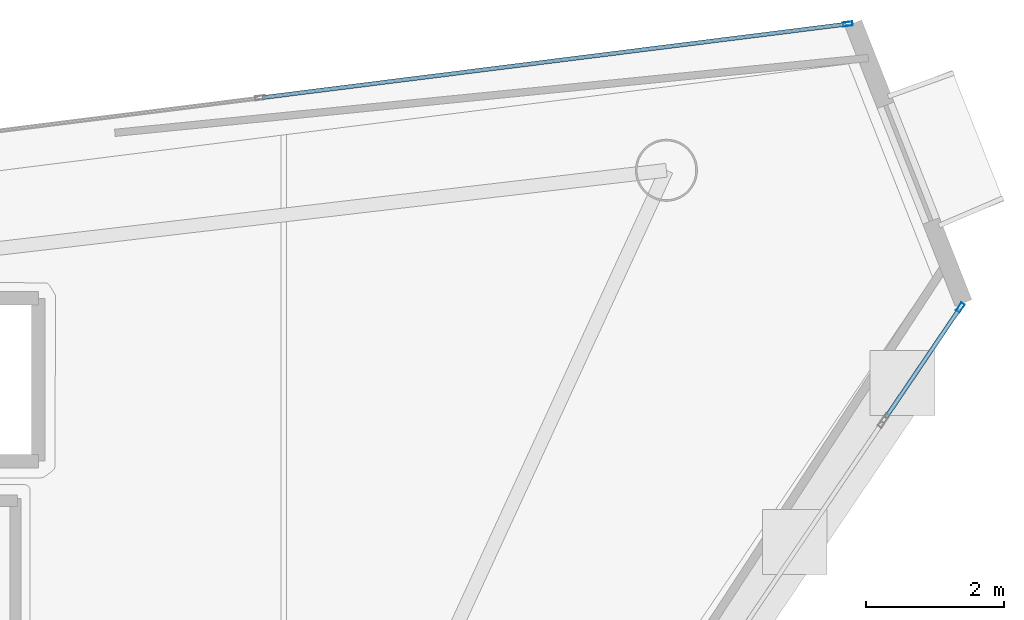
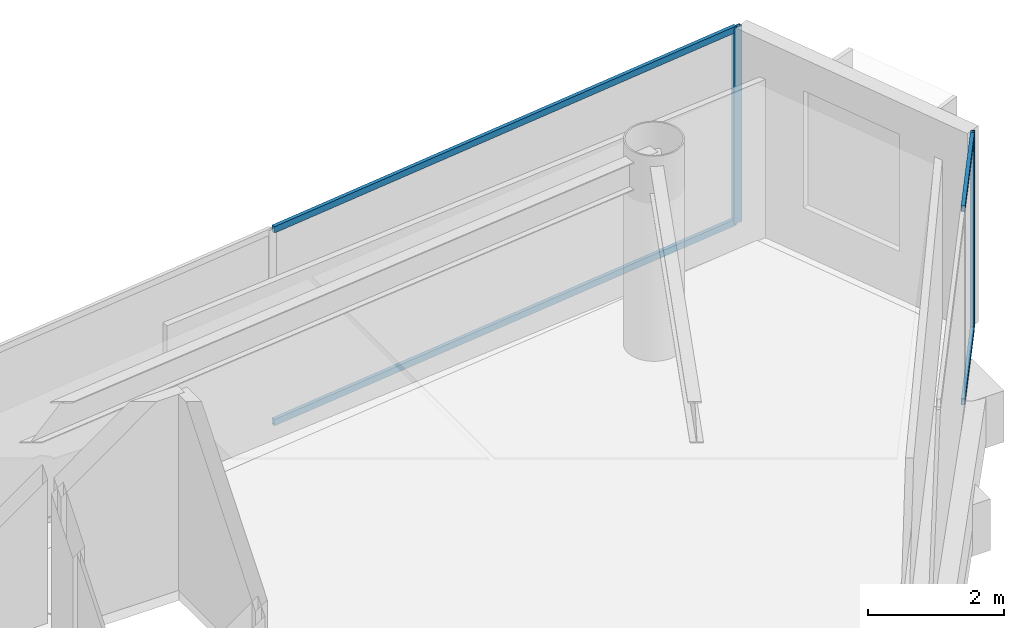
# One storey, part 17 of 23: 6 members, 2 elements without a shape of their own.
"""IFC4 building model written with IfcOpenShell, lengths in metres."""

from ifc_helpers import new_model, si_unit, direction, frame, origin, origin_2d, place, context, subcontext, project, spatial, hollow_rectangle, extrude, material, layer, layer_set, material_profile, profile_set, type_object, element, aggregate, save


model = new_model("IFC4")

# Units and contexts
model_context = context("Model", 3, precision=1e-05, world=origin(), true_north=direction((0.0, 1.0)))
body_context = subcontext(model_context, "Body", "Model", "MODEL_VIEW")
ifc_project = project(units=[si_unit("LENGTHUNIT", "METRE"), si_unit("AREAUNIT", "SQUARE_METRE"), si_unit("VOLUMEUNIT", "CUBIC_METRE"), si_unit("PLANEANGLEUNIT", "RADIAN"), si_unit("MASSUNIT", "GRAM", prefix="KILO")], contexts=[model_context])

# Site, building, storey
site_placement = place(None, origin())
site = spatial("IfcSite", under=ifc_project, at=site_placement, CompositionType="ELEMENT")
building_placement = place(site_placement, origin())
building = spatial("IfcBuilding", under=site, at=building_placement, Name="Qianvela Tower", CompositionType="ELEMENT")
storey_placement = place(building_placement, frame((0.0, 0.0, 284.300048828125)))
storey = spatial("IfcBuildingStorey", under=building, at=storey_placement, Name="L73", CompositionType="ELEMENT", Elevation=284.300048828125)

# Curtain wall, member
ifc_material_1 = material(Name="Anodised Architectural Aluminium and Low-E Glass", Category="aluminium")
ifc_layer = layer(ifc_material_1, 0.14990234375)
ifc_layer_set = layer_set([ifc_layer], Name="Anodised Architectural Aluminium and Low-E Glass")
curtain_wall_type = type_object("IfcCurtainWallType", Name="CW-COLIV-Z78", PredefinedType="USERDEFINED", material=ifc_layer_set)
curtain_wall_1_placement = place(storey_placement, origin())
curtain_wall_1 = element("IfcCurtainWall", 1, at=curtain_wall_1_placement, inside=storey, type_object=curtain_wall_type, Name="L73 CW-COLIV-Z78 Curtain Wall 02A", ObjectType="CURTAIN_WALL_SYSTEM", PredefinedType="USERDEFINED")
ifc_material_2 = material(Name="Anodised Architectural Aluminium 6063-T6", Category="aluminium")
ifc_material_profile_1 = material_profile(ifc_material_2, hollow_rectangle(XDim=0.06005859375, YDim=0.139892578125, WallThickness=0.00439453125, at=origin_2d()), Name="ALU-MULL-60x140")
ifc_profile_set_1 = profile_set([ifc_material_profile_1], Name="Anodised Architectural Aluminium 6063-T6")
member_type_1 = type_object("IfcMemberType", Name="CW-COLIV-Z78-MULL", PredefinedType="MULLION", material=ifc_profile_set_1)
member_1_placement = place(storey_placement, frame((55.276123046875, 39.25390625, 0.0), z_axis=(0.0, 0.0, 1.0), x_axis=(0.124761582312, -0.992186750354, 0.0)))
member_1 = element("IfcMember", 2, at=member_1_placement, type_object=member_type_1, Name="CW-6 mullion 1", PredefinedType="MULLION", context=body_context, shape_type="SweptSolid", body=[
    extrude(hollow_rectangle(XDim=0.06005859375, YDim=0.139892578125, WallThickness=0.00439453125, at=origin_2d()), origin(), (0.0, 0.0, 1.0), 3.52001953125),
])

curtain_wall_2_placement = place(storey_placement, origin())
curtain_wall_2 = element("IfcCurtainWall", 3, at=curtain_wall_2_placement, inside=storey, type_object=curtain_wall_type, Name="L73 CW-COLIV-Z78 Curtain Wall 06C", ObjectType="CURTAIN_WALL_SYSTEM", PredefinedType="USERDEFINED")
member_2_placement = place(storey_placement, frame((56.906005859375, 35.146728515625, 0.0), z_axis=(0.0, 0.0, 1.0), x_axis=(-0.827812563122, 0.561004777465, 0.0)))
member_2 = element("IfcMember", 4, at=member_2_placement, type_object=member_type_1, Name="CW-6 mullion 2", PredefinedType="MULLION", context=body_context, shape_type="SweptSolid", body=[
    extrude(hollow_rectangle(XDim=0.06005859375, YDim=0.139892578125, WallThickness=0.00439453125, at=origin_2d()), origin(), (0.0, 0.0, 1.0), 3.52001953125),
])

# Member
ifc_material_3 = material(Name="Anodised Architectural Aluminium 6063-T6", Category="aluminium")
ifc_material_profile_2 = material_profile(ifc_material_3, hollow_rectangle(XDim=0.06005859375, YDim=0.114990234375, WallThickness=0.00390625, at=origin_2d()), Name="ALU-TRAN-60x115")
ifc_profile_set_2 = profile_set([ifc_material_profile_2], Name="Anodised Architectural Aluminium 6063-T6")
member_type_2 = type_object("IfcMemberType", Name="CW-COLIV-Z78-TRAN", PredefinedType="USERDEFINED", material=ifc_profile_set_2)
member_3_placement = place(storey_placement, frame((55.246337890625, 39.250244140625, 0.030029296875), z_axis=(-0.992186798395, -0.12476120026, 0.0), x_axis=(0.12476120026, -0.992186798395, 0.0)))
member_3 = element("IfcMember", 5, at=member_3_placement, type_object=member_type_2, Name="CW-6 transom 1.1", ObjectType="TRANSOM", PredefinedType="USERDEFINED", context=body_context, shape_type="SweptSolid", body=[
    extrude(hollow_rectangle(XDim=0.06005859375, YDim=0.114990234375, WallThickness=0.00390625, at=origin_2d()), origin(), (0.0, 0.0, 1.0), 8.520263671875),
])

member_4_placement = place(storey_placement, frame((55.246337890625, 39.250244140625, 3.489990234375), z_axis=(-0.992186798395, -0.12476120026, 0.0), x_axis=(0.12476120026, -0.992186798395, 0.0)))
member_4 = element("IfcMember", 6, at=member_4_placement, type_object=member_type_2, Name="CW-6 transom 1.2", ObjectType="TRANSOM", PredefinedType="USERDEFINED", context=body_context, shape_type="SweptSolid", body=[
    extrude(hollow_rectangle(XDim=0.06005859375, YDim=0.114990234375, WallThickness=0.00390625, at=origin_2d()), origin(), (0.0, 0.0, 1.0), 8.520263671875),
])

aggregate(curtain_wall_1, [member_1, member_3, member_4])

member_5_placement = place(storey_placement, frame((55.83203125, 33.56201171875, 0.030029296875), z_axis=(0.561022890327, 0.827800287829, 0.0), x_axis=(-0.827800287829, 0.561022890327, 0.0)))
member_5 = element("IfcMember", 7, at=member_5_placement, type_object=member_type_2, Name="CW-6 transom 1.1", ObjectType="TRANSOM", PredefinedType="USERDEFINED", context=body_context, shape_type="SweptSolid", body=[
    extrude(hollow_rectangle(XDim=0.06005859375, YDim=0.114990234375, WallThickness=0.00390625, at=origin_2d()), origin(), (0.0, 0.0, 1.0), 1.88427734375),
])

member_6_placement = place(storey_placement, frame((55.83203125, 33.56201171875, 3.489990234375), z_axis=(0.561022890327, 0.827800287829, 0.0), x_axis=(-0.827800287829, 0.561022890327, 0.0)))
member_6 = element("IfcMember", 8, at=member_6_placement, type_object=member_type_2, Name="CW-6 transom 1.2", ObjectType="TRANSOM", PredefinedType="USERDEFINED", context=body_context, shape_type="SweptSolid", body=[
    extrude(hollow_rectangle(XDim=0.06005859375, YDim=0.114990234375, WallThickness=0.00390625, at=origin_2d()), origin(), (0.0, 0.0, 1.0), 1.88427734375),
])

aggregate(curtain_wall_2, [member_2, member_5, member_6])

save(model, "model.ifc")
